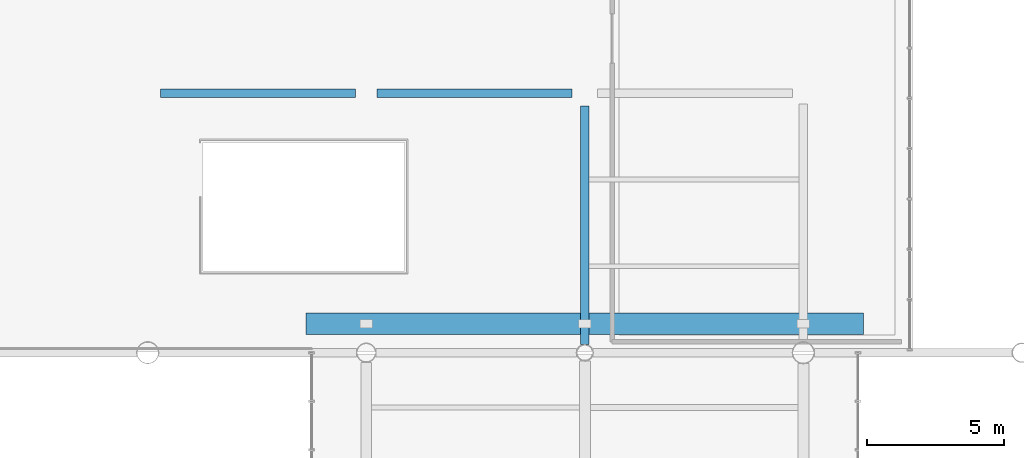
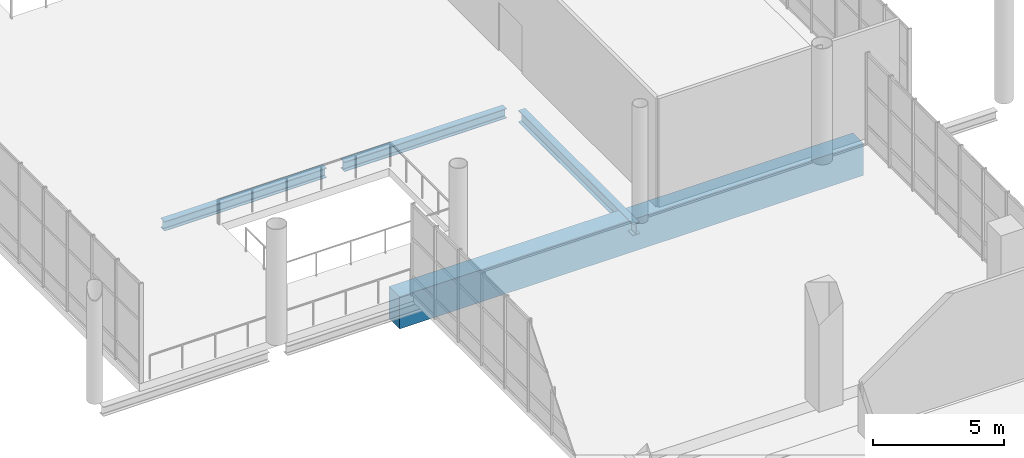
# One storey, part 65 of 176: 4 beams.
"""IFC4 building model written with IfcOpenShell, lengths in metres."""

from ifc_helpers import new_model, si_unit, direction, frame, origin, origin_2d, place, context, subcontext, project, spatial, rectangle, i_section, extrude, material, material_profile, profile_set, type_object, element, save


model = new_model("IFC4")

# Units and contexts
model_context = context("Model", 3, precision=1e-05, world=origin(), true_north=direction((0.0, 1.0)))
body_context = subcontext(model_context, "Body", "Model", "MODEL_VIEW")
ifc_project = project(units=[si_unit("LENGTHUNIT", "METRE"), si_unit("AREAUNIT", "SQUARE_METRE"), si_unit("VOLUMEUNIT", "CUBIC_METRE"), si_unit("PLANEANGLEUNIT", "RADIAN"), si_unit("MASSUNIT", "GRAM", prefix="KILO")], contexts=[model_context])

# Site, building, storey
site_placement = place(None, origin())
site = spatial("IfcSite", under=ifc_project, at=site_placement, CompositionType="ELEMENT")
building_placement = place(site_placement, origin())
building = spatial("IfcBuilding", under=site, at=building_placement, Name="Khorjan Park Terminus", CompositionType="ELEMENT")
storey_placement = place(building_placement, frame((0.0, 0.0, 6.0)))
storey = spatial("IfcBuildingStorey", under=building, at=storey_placement, Name="L01", CompositionType="ELEMENT", Elevation=6.0)

# Beams
ifc_material_1 = material(Name="Steel S355", Category="steel")
ifc_material_profile_1 = material_profile(ifc_material_1, i_section(OverallWidth=0.3, OverallDepth=0.44, WebThickness=0.0115, FlangeThickness=0.021, FilletRadius=0.027, at=origin_2d()), Name="HEA 450")
ifc_profile_set_1 = profile_set([ifc_material_profile_1], Name="Steel S355")
beam_type_1 = type_object("IfcBeamType", Name="BM-HEA450", PredefinedType="BEAM", material=ifc_profile_set_1)
beam_1_placement = place(storey_placement, frame((104.47, 111.5, -0.58), z_axis=(1.0, 0.0, 0.0), x_axis=(0.0, 1.0, 0.0)))
element("IfcBeam", 1, at=beam_1_placement, inside=storey, type_object=beam_type_1, Name="Primary floor girder SB-A45 (L01)", PredefinedType="BEAM", context=body_context, shape_type="SweptSolid", body=[
    extrude(i_section(OverallWidth=0.3, OverallDepth=0.44, WebThickness=0.0115, FlangeThickness=0.021, FilletRadius=0.027, at=origin_2d()), origin(), (0.0, 0.0, 1.0), 7.135),
])
ifc_material_profile_2 = material_profile(ifc_material_1, i_section(OverallWidth=0.3, OverallDepth=0.45, WebThickness=0.014, FlangeThickness=0.026, FilletRadius=0.027, at=origin_2d()), Name="HEB 450")
ifc_profile_set_2 = profile_set([ifc_material_profile_2], Name="Steel S355")
beam_type_2 = type_object("IfcBeamType", Name="BM-HEB450", PredefinedType="BEAM", material=ifc_profile_set_2)
beam_2_placement = place(storey_placement, frame((112.395, 111.5, -0.585), z_axis=(1.0, 0.0, 0.0), x_axis=(0.0, 1.0, 0.0)))
element("IfcBeam", 2, at=beam_2_placement, inside=storey, type_object=beam_type_2, Name="Primary floor girder SB-B45 (L01)", PredefinedType="BEAM", context=body_context, shape_type="SweptSolid", body=[
    extrude(i_section(OverallWidth=0.3, OverallDepth=0.45, WebThickness=0.014, FlangeThickness=0.026, FilletRadius=0.027, at=origin_2d()), origin(), (0.0, 0.0, 1.0), 7.135),
])
ifc_material_profile_3 = material_profile(ifc_material_1, i_section(OverallWidth=0.3, OverallDepth=0.55, WebThickness=0.015, FlangeThickness=0.029, FilletRadius=0.027, at=origin_2d()), Name="HEB 550")
ifc_profile_set_3 = profile_set([ifc_material_profile_3], Name="Steel S355")
beam_type_3 = type_object("IfcBeamType", Name="BM-HEB550", PredefinedType="BEAM", material=ifc_profile_set_3)
beam_3_placement = place(storey_placement, frame((120.0, 102.3, -0.635), z_axis=(0.0, 1.0, 0.0), x_axis=(-1.0, 0.0, 0.0)))
element("IfcBeam", 3, at=beam_3_placement, inside=storey, type_object=beam_type_3, Name="Primary floor girder SB-B55 (L01)", PredefinedType="BEAM", context=body_context, shape_type="SweptSolid", body=[
    extrude(i_section(OverallWidth=0.3, OverallDepth=0.55, WebThickness=0.015, FlangeThickness=0.029, FilletRadius=0.027, at=origin_2d()), origin(), (0.0, 0.0, 1.0), 8.73),
])
ifc_material_2 = material(Name="Concrete C50/60", Category="concrete")
ifc_material_profile_4 = material_profile(ifc_material_2, rectangle(XDim=0.8, YDim=1.5, at=origin_2d()), Name="RC 800x1500")
ifc_profile_set_4 = profile_set([ifc_material_profile_4], Name="Concrete C50/60")
beam_type_4 = type_object("IfcBeamType", Name="BM-RC800x1500", PredefinedType="BEAM", material=ifc_profile_set_4)
beam_4_placement = place(storey_placement, frame((109.8, 103.06, -1.19), z_axis=(1.0, 0.0, 0.0), x_axis=(0.0, 1.0, 0.0)))
element("IfcBeam", 4, at=beam_4_placement, inside=storey, type_object=beam_type_4, Name="Over-track bridge 650 mm expansion-joint bearing seat girder GB-15 (2)", PredefinedType="BEAM", context=body_context, shape_type="SweptSolid", body=[
    extrude(rectangle(XDim=0.8, YDim=1.5, at=origin_2d()), origin(), (0.0, 0.0, 1.0), 20.4),
])

save(model, "model.ifc")
